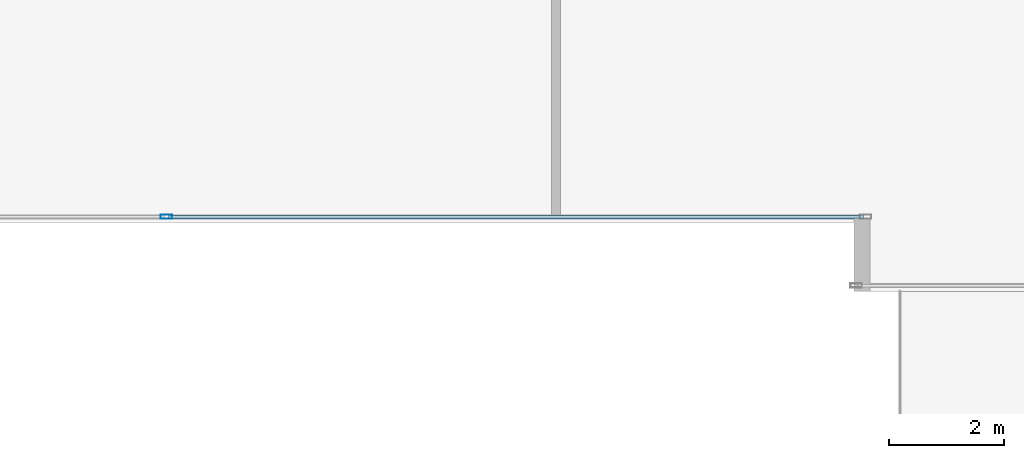
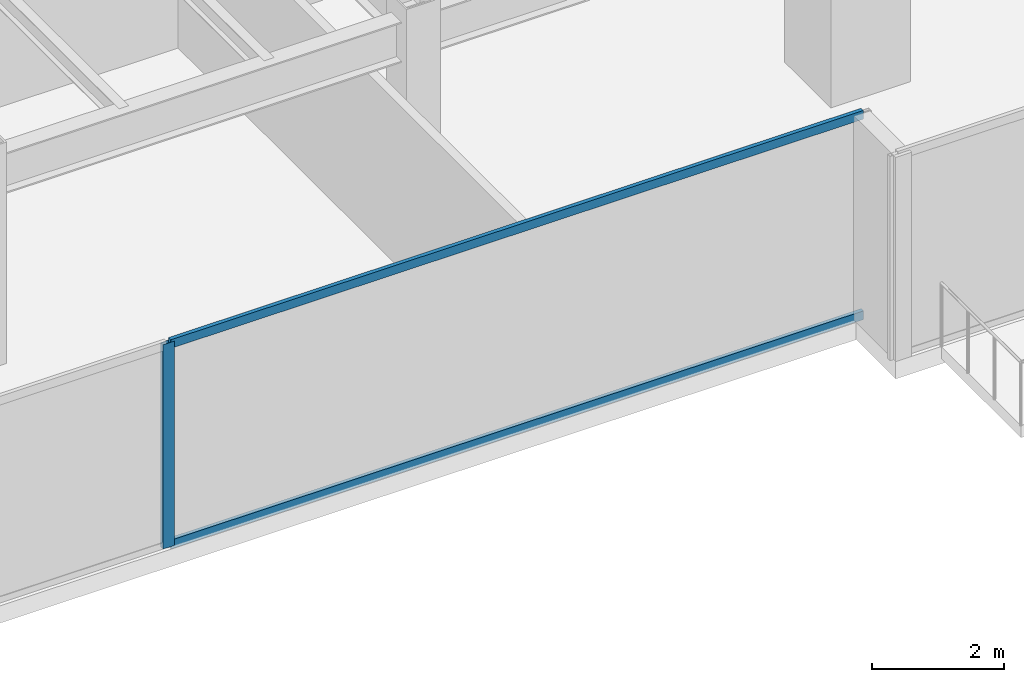
# One storey, part 8 of 31: 3 members, 1 element without a shape of its own.
"""IFC4 building model written with IfcOpenShell, lengths in metres."""

from ifc_helpers import new_model, si_unit, direction, frame, origin, origin_2d, place, context, subcontext, project, spatial, hollow_rectangle, extrude, source, transform, mapped, material, layer, layer_set, material_profile, profile_set, type_object, type_shapes, element, aggregate, save


model = new_model("IFC4")

# Units and contexts
model_context = context("Model", 3, precision=1e-05, world=origin(), true_north=direction((0.0, 1.0)))
body_context = subcontext(model_context, "Body", "Model", "MODEL_VIEW")
ifc_project = project(units=[si_unit("LENGTHUNIT", "METRE"), si_unit("AREAUNIT", "SQUARE_METRE"), si_unit("VOLUMEUNIT", "CUBIC_METRE"), si_unit("PLANEANGLEUNIT", "RADIAN"), si_unit("MASSUNIT", "GRAM", prefix="KILO")], contexts=[model_context])

# Site, building, storey
site_placement = place(None, origin())
site = spatial("IfcSite", under=ifc_project, at=site_placement, CompositionType="ELEMENT")
building_placement = place(site_placement, origin())
building = spatial("IfcBuilding", under=site, at=building_placement, Name="Haelvirn Gate Laboratories", CompositionType="ELEMENT")
storey_placement = place(building_placement, frame((0.0, 0.0, 62.10009765625)))
storey = spatial("IfcBuildingStorey", under=building, at=storey_placement, Name="L15", CompositionType="ELEMENT", Elevation=62.10009765625)

# Curtain wall, members
ifc_material_1 = material(Name="Anodised bronze unitised aluminium & triple low-E glass", Category="aluminium")
ifc_layer = layer(ifc_material_1, 0.18408203125, Name="CW-SYS-2")
ifc_layer_set = layer_set([ifc_layer], Name="Anodised bronze unitised aluminium & triple low-E glass")
curtain_wall_type = type_object("IfcCurtainWallType", Name="CW-SYS-2", PredefinedType="NOTDEFINED", material=ifc_layer_set)
curtain_wall_placement = place(storey_placement, origin())
curtain_wall = element("IfcCurtainWall", 1, at=curtain_wall_placement, inside=storey, type_object=curtain_wall_type, Name="L15 Unitised Curtain Wall CW-L15-P0-E02-1", PredefinedType="NOTDEFINED")
ifc_material_2 = material(Name="Extruded aluminium 6063-T6 (anodised bronze)", Category="aluminium")
ifc_material_profile_1 = material_profile(ifc_material_2, hollow_rectangle(XDim=0.070068359375, YDim=0.159912109375, WallThickness=0.0048828125, at=origin_2d()), Name="CWT-160x70x5")
ifc_profile_set_1 = profile_set([ifc_material_profile_1], Name="Extruded aluminium 6063-T6 (anodised bronze)")
member_type_1 = type_object("IfcMemberType", Name="CWT-T160", PredefinedType="USERDEFINED", material=ifc_profile_set_1)
shared_shape_1 = source(origin(), body_context, "Body", "SweptSolid", [
    extrude(hollow_rectangle(XDim=0.070068359375, YDim=0.159912109375, WallThickness=0.0048828125, at=origin_2d()), origin(), (0.0, 0.0, 1.0), 12.12744140625),
])
type_shapes(member_type_1, [shared_shape_1])
member_1_placement = place(storey_placement, frame((37.4375, 1.300048828125, 0.034912109375), z_axis=(1.0, 0.0, 0.0), x_axis=(0.0, 1.0, 0.0)))
member_1 = element("IfcMember", 2, at=member_1_placement, type_object=member_type_1, Name="CW2 transom 2.1", ObjectType="TRANSOM", PredefinedType="USERDEFINED", context=body_context, shape_type="MappedRepresentation", body=[
    mapped(shared_shape_1, transform((0.0, 0.0, 0.0), scale=1.0)),
])
member_2_placement = place(storey_placement, frame((37.4375, 1.300048828125, 3.744873046875), z_axis=(1.0, 0.0, 0.0), x_axis=(0.0, 1.0, 0.0)))
member_2 = element("IfcMember", 3, at=member_2_placement, type_object=member_type_1, Name="CW2 transom 2.2", ObjectType="TRANSOM", PredefinedType="USERDEFINED", context=body_context, shape_type="MappedRepresentation", body=[
    mapped(shared_shape_1, transform((0.0, 0.0, 0.0), scale=1.0)),
])
ifc_material_profile_2 = material_profile(ifc_material_2, hollow_rectangle(XDim=0.074951171875, YDim=0.199951171875, WallThickness=0.0048828125, at=origin_2d()), Name="CWM-200x75x5")
ifc_profile_set_2 = profile_set([ifc_material_profile_2], Name="Extruded aluminium 6063-T6 (anodised bronze)")
member_type_2 = type_object("IfcMemberType", Name="CWM-T200", PredefinedType="MULLION", material=ifc_profile_set_2)
shared_shape_2 = source(origin(), body_context, "Body", "SweptSolid", [
    extrude(hollow_rectangle(XDim=0.074951171875, YDim=0.199951171875, WallThickness=0.0048828125, at=origin_2d()), origin(), (0.0, 0.0, 1.0), 3.77978515625),
])
type_shapes(member_type_2, [shared_shape_2])
member_3_placement = place(storey_placement, frame((37.39990234375, 1.300048828125, 0.0), z_axis=(0.0, 0.0, 1.0), x_axis=(0.0, 1.0, 0.0)))
member_3 = element("IfcMember", 4, at=member_3_placement, type_object=member_type_2, Name="CW2 mullion 2", PredefinedType="MULLION", context=body_context, shape_type="MappedRepresentation", body=[
    mapped(shared_shape_2, transform((0.0, 0.0, 0.0), scale=1.0)),
])
aggregate(curtain_wall, [member_3, member_1, member_2])

save(model, "model.ifc")
